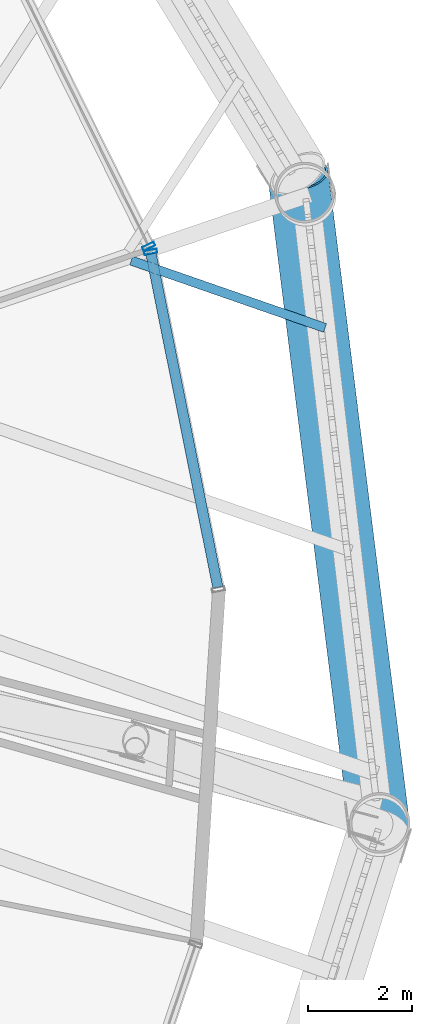
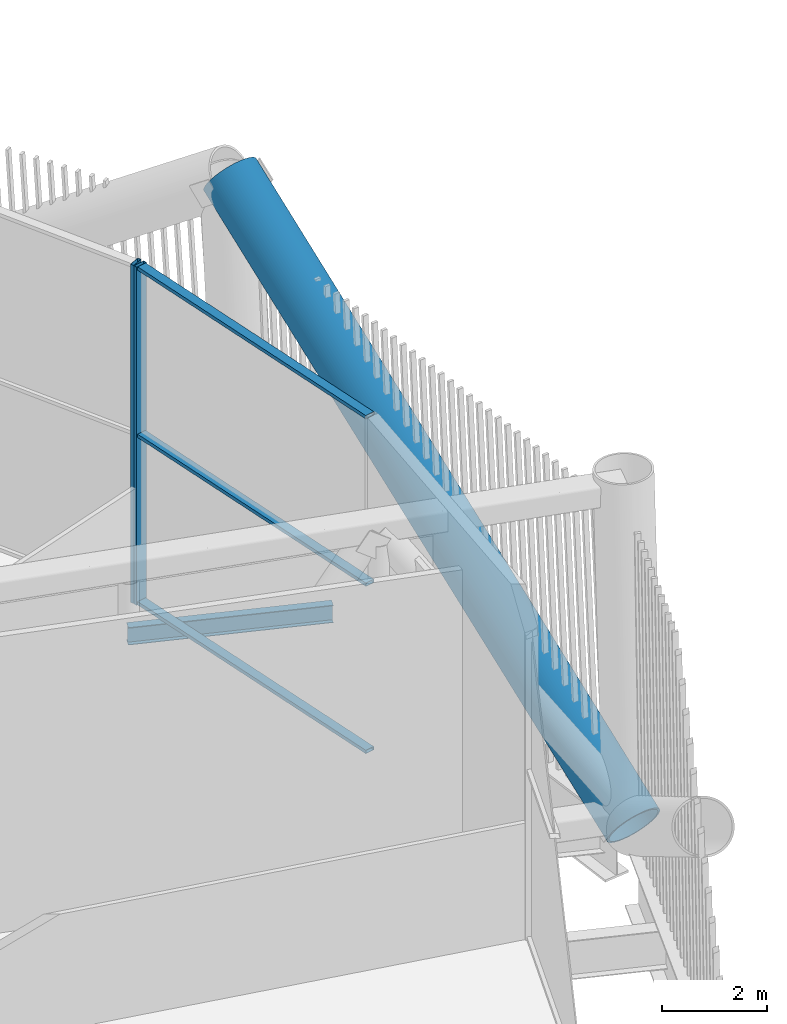
# One storey, part 23 of 63: 6 members, 1 beam, 2 elements without a shape of their own.
"""IFC4 building model written with IfcOpenShell, lengths in metres."""

from ifc_helpers import new_model, si_unit, direction, frame, origin, origin_2d, place, context, subcontext, project, spatial, hollow_rectangle, hollow_circle, i_section, extrude, material, layer, layer_set, material_profile, profile_set, type_object, element, aggregate, save


model = new_model("IFC4")

# Units and contexts
model_context = context("Model", 3, precision=1e-05, world=origin(), true_north=direction((0.0, 1.0)))
body_context = subcontext(model_context, "Body", "Model", "MODEL_VIEW")
ifc_project = project(units=[si_unit("LENGTHUNIT", "METRE"), si_unit("AREAUNIT", "SQUARE_METRE"), si_unit("VOLUMEUNIT", "CUBIC_METRE"), si_unit("PLANEANGLEUNIT", "RADIAN"), si_unit("MASSUNIT", "GRAM", prefix="KILO")], contexts=[model_context])

# Site, building, storey
site_placement = place(None, origin())
site = spatial("IfcSite", under=ifc_project, at=site_placement, CompositionType="ELEMENT")
building_placement = place(site_placement, origin())
building = spatial("IfcBuilding", under=site, at=building_placement, Name="Tarsis Ring Headquarters", CompositionType="ELEMENT")
storey_placement = place(building_placement, frame((0.0, 0.0, 139.60009765625)))
storey = spatial("IfcBuildingStorey", under=building, at=storey_placement, Name="L32", CompositionType="ELEMENT", Elevation=139.60009765625)

# Curtain wall, member
ifc_material_1 = material(Name="Aluminium curtain wall", Category="aluminium")
ifc_layer = layer(ifc_material_1, 0.25)
ifc_layer_set = layer_set([ifc_layer], Name="Curtain wall sky lobby")
curtain_wall_type = type_object("IfcCurtainWallType", Name="Curtain wall sky lobby", PredefinedType="NOTDEFINED", material=ifc_layer_set)
curtain_wall_1_placement = place(storey_placement, origin())
curtain_wall_1 = element("IfcCurtainWall", 1, at=curtain_wall_1_placement, inside=storey, type_object=curtain_wall_type, Name="Curtain wall L32-23", PredefinedType="NOTDEFINED")
ifc_material_2 = material(Name="Aluminium mullion", Category="aluminium")
ifc_material_profile_1 = material_profile(ifc_material_2, hollow_rectangle(XDim=0.25, YDim=0.080078125, WallThickness=0.0048828125, at=origin_2d()), Name="RHS 250x80x5")
ifc_profile_set_1 = profile_set([ifc_material_profile_1], Name="Aluminium mullion")
member_type_1 = type_object("IfcMemberType", Name="Curtain wall mullion sky lobby RHS 250x80x5", PredefinedType="MULLION", material=ifc_profile_set_1)
member_1_placement = place(storey_placement, frame((24.498779296875, 8.300048828125, 0.0), z_axis=(0.0, 0.0, 1.0), x_axis=(-0.980477628068, -0.196630671205, 0.0)))
member_1 = element("IfcMember", 2, at=member_1_placement, type_object=member_type_1, Name="CW-S mullion 2", PredefinedType="MULLION", context=body_context, shape_type="SweptSolid", body=[
    extrude(hollow_rectangle(XDim=0.25, YDim=0.080078125, WallThickness=0.0048828125, at=origin_2d()), origin(), (0.0, 0.0, 1.0), 7.83984375),
])

curtain_wall_2_placement = place(storey_placement, origin())
curtain_wall_2 = element("IfcCurtainWall", 3, at=curtain_wall_2_placement, inside=storey, type_object=curtain_wall_type, Name="Curtain wall L32-24", PredefinedType="NOTDEFINED")
member_2_placement = place(storey_placement, frame((24.462646484375, 8.406005859375, 0.0), z_axis=(0.0, 0.0, 1.0), x_axis=(-0.896176883918, -0.443696960471, 0.0)))
member_2 = element("IfcMember", 4, at=member_2_placement, type_object=member_type_1, Name="CW-S mullion 1", PredefinedType="MULLION", context=body_context, shape_type="SweptSolid", body=[
    extrude(hollow_rectangle(XDim=0.25, YDim=0.080078125, WallThickness=0.0048828125, at=origin_2d()), origin(), (0.0, 0.0, 1.0), 7.83984375),
])
aggregate(curtain_wall_2, [member_2])

# Member
ifc_material_3 = material(Name="Aluminium transom", Category="aluminium")
ifc_material_profile_2 = material_profile(ifc_material_3, hollow_rectangle(XDim=0.199951171875, YDim=0.080078125, WallThickness=0.0048828125, at=origin_2d()), Name="RHS 200x80x5")
ifc_profile_set_2 = profile_set([ifc_material_profile_2], Name="Aluminium transom")
member_type_2 = type_object("IfcMemberType", Name="Curtain wall transom sky lobby RHS 200x80x5", PredefinedType="USERDEFINED", material=ifc_profile_set_2)
member_3_placement = place(storey_placement, frame((25.796875, 1.827392578125, 0.039794921875), z_axis=(-0.196645608585, 0.980474632321, 0.0), x_axis=(-0.980474632321, -0.196645608585, 0.0)))
member_3 = element("IfcMember", 5, at=member_3_placement, type_object=member_type_2, Name="CW-S transom 1.1", ObjectType="TRANSOM", PredefinedType="USERDEFINED", context=body_context, shape_type="SweptSolid", body=[
    extrude(hollow_rectangle(XDim=0.199951171875, YDim=0.080078125, WallThickness=0.0048828125, at=origin_2d()), origin(), (0.0, 0.0, 1.0), 6.5615234375),
])

member_4_placement = place(storey_placement, frame((25.796875, 1.827392578125, 3.919921875), z_axis=(-0.196645608585, 0.980474632321, 0.0), x_axis=(-0.980474632321, -0.196645608585, 0.0)))
member_4 = element("IfcMember", 6, at=member_4_placement, type_object=member_type_2, Name="CW-S transom 1.2", ObjectType="TRANSOM", PredefinedType="USERDEFINED", context=body_context, shape_type="SweptSolid", body=[
    extrude(hollow_rectangle(XDim=0.199951171875, YDim=0.080078125, WallThickness=0.0048828125, at=origin_2d()), origin(), (0.0, 0.0, 1.0), 6.5615234375),
])

member_5_placement = place(storey_placement, frame((25.796875, 1.827392578125, 7.7998046875), z_axis=(-0.196645608585, 0.980474632321, 0.0), x_axis=(-0.980474632321, -0.196645608585, 0.0)))
member_5 = element("IfcMember", 7, at=member_5_placement, type_object=member_type_2, Name="CW-S transom 1.3", ObjectType="TRANSOM", PredefinedType="USERDEFINED", context=body_context, shape_type="SweptSolid", body=[
    extrude(hollow_rectangle(XDim=0.199951171875, YDim=0.080078125, WallThickness=0.0048828125, at=origin_2d()), origin(), (0.0, 0.0, 1.0), 6.5615234375),
])

aggregate(curtain_wall_1, [member_1, member_3, member_4, member_5])

# Beam
ifc_material_4 = material(Name="Structural steel S355", Category="steel")
ifc_material_profile_3 = material_profile(ifc_material_4, i_section(OverallWidth=0.177734375, OverallDepth=0.406494140625, WebThickness=0.0078125, FlangeThickness=0.0126953125, at=origin_2d()), Name="W16x40")
ifc_profile_set_3 = profile_set([ifc_material_profile_3], Name="Structural steel S355")
beam_type = type_object("IfcBeamType", Name="FB Floor beam W16x40", PredefinedType="JOIST", material=ifc_profile_set_3)
beam_placement = place(storey_placement, frame((24.124267578125, 8.1328125, -0.50341796875), z_axis=(0.944600691913, -0.328221773862, 0.0), x_axis=(0.328221773862, 0.944600691913, 0.0)))
element("IfcBeam", 8, at=beam_placement, inside=storey, type_object=beam_type, Name="Floor beam FB1", PredefinedType="JOIST", context=body_context, shape_type="SweptSolid", body=[
    extrude(i_section(OverallWidth=0.177734375, OverallDepth=0.406494140625, WebThickness=0.0078125, FlangeThickness=0.0126953125, at=origin_2d()), origin(), (0.0, 0.0, 1.0), 3.9609375),
])

# Member
ifc_material_profile_4 = material_profile(ifc_material_4, hollow_circle(Radius=0.584228515625, WallThickness=0.044921875, at=origin_2d()), Name="CHS 1168x45")
ifc_profile_set_4 = profile_set([ifc_material_profile_4], Name="Structural steel S355")
member_type_3 = type_object("IfcMemberType", Name="TD Belt truss diagonal CHS 1168x45", PredefinedType="BRACE", material=ifc_profile_set_4)
member_6_placement = place(storey_placement, frame((28.91455078125, -2.785400390625, 0.0), z_axis=(-0.104831444297, 0.839497625324, 0.533154860582), x_axis=(-0.992293254664, -0.123911648961, 0.0)))
element("IfcMember", 9, at=member_6_placement, inside=storey, type_object=member_type_3, Name="Belt truss diagonal TD3", PredefinedType="BRACE", context=body_context, shape_type="SweptSolid", body=[
    extrude(hollow_circle(Radius=0.584228515625, WallThickness=0.044921875, at=origin_2d()), origin(), (0.0, 0.0, 1.0), 15.005126953125),
])

save(model, "model.ifc")
